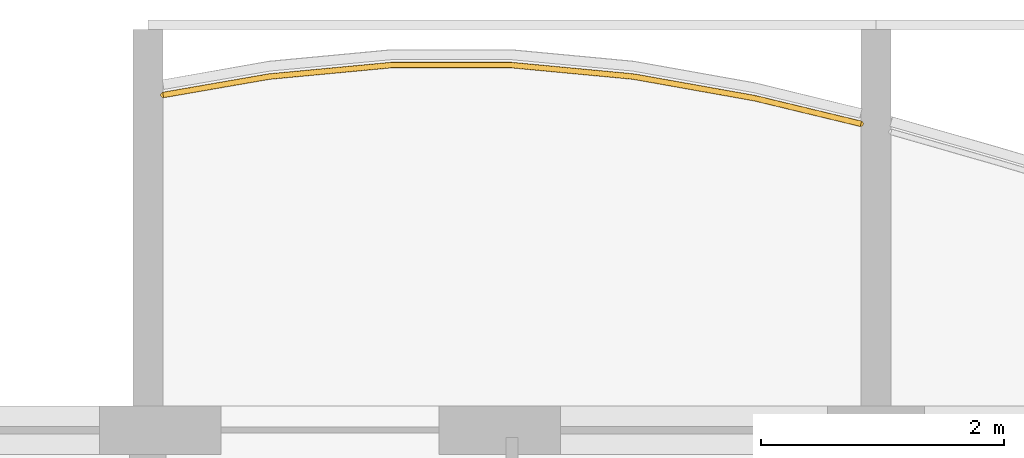
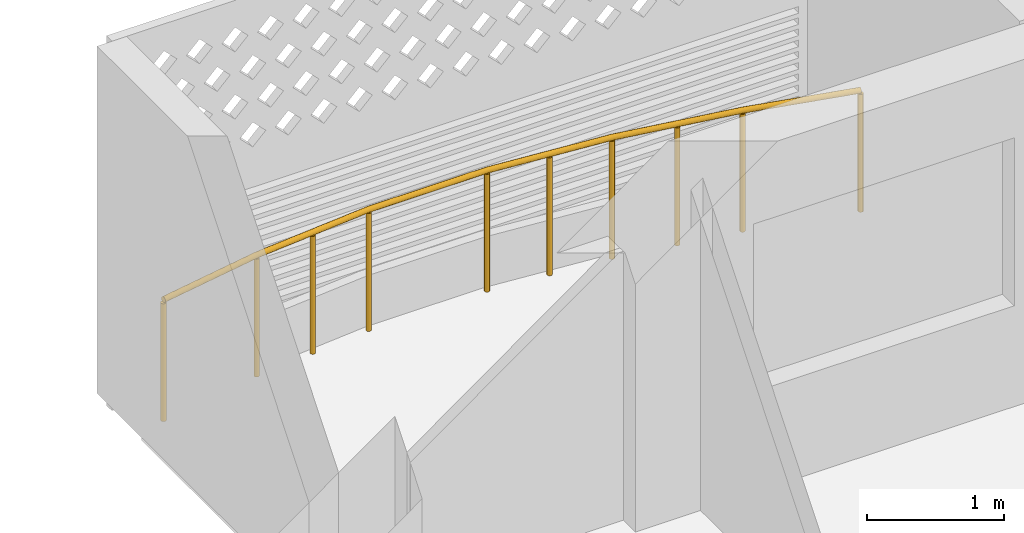
# One storey, part 20 of 33: 1 railing.
"""IFC4 building model written with IfcOpenShell, lengths in metres."""

from ifc_helpers import new_model, si_unit, direction, frame, origin, origin_2d, place, context, subcontext, project, spatial, circle, extrude, material, type_object, element, save


model = new_model("IFC4")

# Units and contexts
model_context = context("Model", 3, precision=1e-05, world=origin(), true_north=direction((0.0, 1.0)))
body_context = subcontext(model_context, "Body", "Model", "MODEL_VIEW")
ifc_project = project(units=[si_unit("LENGTHUNIT", "METRE"), si_unit("AREAUNIT", "SQUARE_METRE"), si_unit("VOLUMEUNIT", "CUBIC_METRE"), si_unit("PLANEANGLEUNIT", "RADIAN"), si_unit("MASSUNIT", "GRAM", prefix="KILO")], contexts=[model_context])

# Site, building, storey
site_placement = place(None, origin())
site = spatial("IfcSite", under=ifc_project, at=site_placement, CompositionType="ELEMENT")
building_placement = place(site_placement, origin())
building = spatial("IfcBuilding", under=site, at=building_placement, Name="Poui Terraces", CompositionType="ELEMENT")
storey_placement = place(building_placement, frame((0.0, 0.0, 132.300048828125)))
storey = spatial("IfcBuildingStorey", under=building, at=storey_placement, Name="L36", CompositionType="ELEMENT", Elevation=132.300048828125)

# Railing
ifc_material = material(Name="Painted steel fretwork", Category="steel")
railing_type = type_object("IfcRailingType", Name="BALCONY GUARD 1100", PredefinedType="GUARDRAIL", material=ifc_material)
railing_placement = place(storey_placement, frame((30.125, 45.162109375, 0.0)))
element("IfcRailing", 1, at=railing_placement, inside=storey, type_object=railing_type, Name="BALCONY GUARD", PredefinedType="GUARDRAIL", context=body_context, shape_type="SweptSolid", body=[
    extrude(circle(Radius=0.02392578125, at=origin_2d()), frame((0.0, 0.0, 1.076171875), z_axis=(0.985272223663, 0.170993114709, 0.0), x_axis=(-0.170993114709, 0.985272223663, 0.0)), (0.0, 0.0, 1.0), 0.88818359375),
    extrude(circle(Radius=0.02392578125, at=origin_2d()), frame((0.875, 0.15185546875, 1.076171875), z_axis=(0.9956116077, 0.093581657462, 0.0), x_axis=(-0.093581657462, 0.9956116077, 0.0)), (0.0, 0.0, 1.0), 1.00439453125),
    extrude(circle(Radius=0.02392578125, at=origin_2d()), frame((1.875, 0.245849609375, 1.076171875), z_axis=(1.0, 0.0, 0.0), x_axis=(0.0, 1.0, 0.0)), (0.0, 0.0, 1.0), 1.0),
    extrude(circle(Radius=0.02392578125, at=origin_2d()), frame((2.875, 0.245849609375, 1.076171875), z_axis=(0.9956116077, -0.093581657462, 0.0), x_axis=(0.093581657462, 0.9956116077, 0.0)), (0.0, 0.0, 1.0), 1.00439453125),
    extrude(circle(Radius=0.02392578125, at=origin_2d()), frame((3.875, 0.15185546875, 1.076171875), z_axis=(0.984486939112, -0.175457877332, 0.0), x_axis=(0.175457877332, 0.984486939112, 0.0)), (0.0, 0.0, 1.0), 1.015869140625),
    extrude(circle(Radius=0.02392578125, at=origin_2d()), frame((4.875, -0.0263671875, 1.076171875), z_axis=(0.97215043642, -0.234357694494, 0.0), x_axis=(0.234357694494, 0.97215043642, 0.0)), (0.0, 0.0, 1.0), 0.900146484375),
    extrude(circle(Radius=0.02099609375, at=origin_2d()), origin(), (0.0, 0.0, 1.0), 1.052001953125),
    extrude(circle(Radius=0.02099609375, at=origin_2d()), frame((0.875, 0.15185546875, 0.0)), (0.0, 0.0, 1.0), 1.052001953125),
    extrude(circle(Radius=0.02099609375, at=origin_2d()), frame((1.375, 0.19873046875, 0.0)), (0.0, 0.0, 1.0), 1.052001953125),
    extrude(circle(Radius=0.02099609375, at=origin_2d()), frame((1.875, 0.245849609375, 0.0)), (0.0, 0.0, 1.0), 1.052001953125),
    extrude(circle(Radius=0.02099609375, at=origin_2d()), frame((2.875, 0.245849609375, 0.0)), (0.0, 0.0, 1.0), 1.052001953125),
    extrude(circle(Radius=0.02099609375, at=origin_2d()), frame((3.375, 0.19873046875, 0.0)), (0.0, 0.0, 1.0), 1.052001953125),
    extrude(circle(Radius=0.02099609375, at=origin_2d()), frame((3.875, 0.15185546875, 0.0)), (0.0, 0.0, 1.0), 1.052001953125),
    extrude(circle(Radius=0.02099609375, at=origin_2d()), frame((4.375, 0.062744140625, 0.0)), (0.0, 0.0, 1.0), 1.052001953125),
    extrude(circle(Radius=0.02099609375, at=origin_2d()), frame((4.875, -0.0263671875, 0.0)), (0.0, 0.0, 1.0), 1.052001953125),
    extrude(circle(Radius=0.02099609375, at=origin_2d()), frame((5.75, -0.2373046875, 0.0)), (0.0, 0.0, 1.0), 1.052001953125),
])

save(model, "model.ifc")
